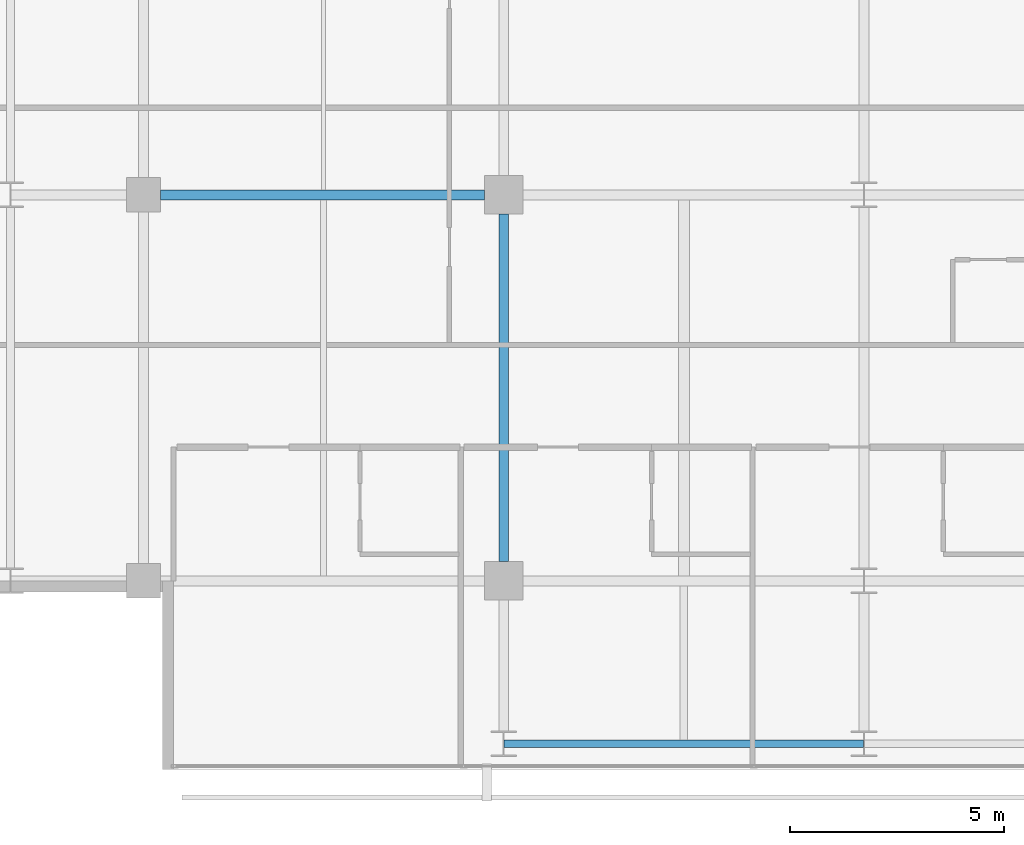
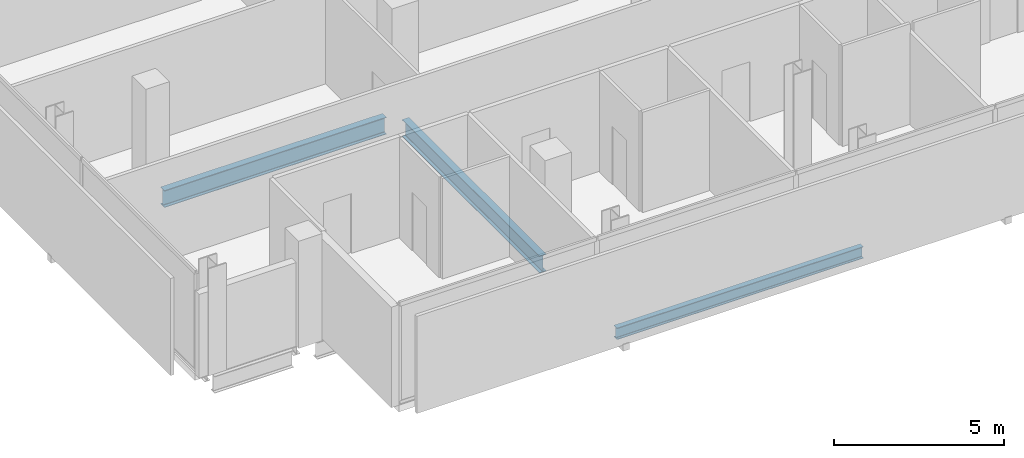
# One storey, part 5 of 33: 3 beams.
"""IFC4 building model written with IfcOpenShell, lengths in metres."""

from ifc_helpers import new_model, si_unit, direction, frame, origin, origin_2d, place, context, subcontext, project, spatial, i_section, extrude, material, material_profile, profile_set, type_object, element, save


model = new_model("IFC4")

# Units and contexts
model_context = context("Model", 3, precision=1e-05, world=origin(), true_north=direction((0.0, 1.0)))
body_context = subcontext(model_context, "Body", "Model", "MODEL_VIEW")
ifc_project = project(units=[si_unit("LENGTHUNIT", "METRE"), si_unit("AREAUNIT", "SQUARE_METRE"), si_unit("VOLUMEUNIT", "CUBIC_METRE"), si_unit("PLANEANGLEUNIT", "RADIAN"), si_unit("MASSUNIT", "GRAM", prefix="KILO")], contexts=[model_context])

# Site, building, storey
site_placement = place(None, origin())
site = spatial("IfcSite", under=ifc_project, at=site_placement, CompositionType="ELEMENT")
building_placement = place(site_placement, origin())
building = spatial("IfcBuilding", under=site, at=building_placement, Name="Maruvema Waterfront Hotel and Observation Tower", CompositionType="ELEMENT")
storey_placement = place(building_placement, frame((0.0, 0.0, 154.35009765625)))
storey = spatial("IfcBuildingStorey", under=building, at=storey_placement, Name="L37", CompositionType="ELEMENT", Elevation=154.35009765625)

# Beams
ifc_material_1 = material(Name="Steel ASTM A572 Grade 50", Category="steel")
ifc_material_profile_1 = material_profile(ifc_material_1, i_section(OverallWidth=0.180908203125, OverallDepth=0.4169921875, WebThickness=0.010986328125, FlangeThickness=0.018310546875, FilletRadius=0.014892578125, at=origin_2d()), Name="W410x85.0")
ifc_profile_set_1 = profile_set([ifc_material_profile_1], Name="Steel ASTM A572 Grade 50")
beam_type_1 = type_object("IfcBeamType", Name="Perimeter Spandrel Beam W410x85.0", PredefinedType="SPANDREL", material=ifc_profile_set_1)
beam_1_placement = place(storey_placement, frame((25.21240234375, 5.199951171875, -0.448486328125), z_axis=(1.0, 0.0, 0.0), x_axis=(0.0, 1.0, 0.0)))
element("IfcBeam", 1, at=beam_1_placement, inside=storey, type_object=beam_type_1, Name="L37 Floor Girder EW-01", PredefinedType="SPANDREL", context=body_context, shape_type="SweptSolid", body=[
    extrude(i_section(OverallWidth=0.180908203125, OverallDepth=0.4169921875, WebThickness=0.010986328125, FlangeThickness=0.018310546875, FilletRadius=0.014892578125, at=origin_2d()), origin(), (0.0, 0.0, 1.0), 8.375),
])
ifc_material_2 = material(Name="Steel ASTM A572 Grade 50", Category="steel")
ifc_material_profile_2 = material_profile(ifc_material_2, i_section(OverallWidth=0.22900390625, OverallDepth=0.612060546875, WebThickness=0.011962890625, FlangeThickness=0.01953125, FilletRadius=0.01806640625, at=origin_2d()), Name="W610x125.0")
ifc_profile_set_2 = profile_set([ifc_material_profile_2], Name="Steel ASTM A572 Grade 50")
beam_type_2 = type_object("IfcBeamType", Name="Primary Floor Girder W610x125.0", PredefinedType="BEAM", material=ifc_profile_set_2)
beam_2_placement = place(storey_placement, frame((17.199951171875, 18.0, -0.546142578125), z_axis=(1.0, 0.0, 0.0), x_axis=(0.0, 1.0, 0.0)))
element("IfcBeam", 2, at=beam_2_placement, inside=storey, type_object=beam_type_2, Name="L37 Floor Girder EW-12", PredefinedType="BEAM", context=body_context, shape_type="SweptSolid", body=[
    extrude(i_section(OverallWidth=0.22900390625, OverallDepth=0.612060546875, WebThickness=0.011962890625, FlangeThickness=0.01953125, FilletRadius=0.01806640625, at=origin_2d()), origin(), (0.0, 0.0, 1.0), 7.550048828125),
])
beam_3_placement = place(storey_placement, frame((25.199951171875, 9.449951171875, -0.546142578125), z_axis=(0.0, 1.0, 0.0), x_axis=(-1.0, 0.0, 0.0)))
element("IfcBeam", 3, at=beam_3_placement, inside=storey, type_object=beam_type_2, Name="L37 Floor Girder NS-10", PredefinedType="BEAM", context=body_context, shape_type="SweptSolid", body=[
    extrude(i_section(OverallWidth=0.22900390625, OverallDepth=0.612060546875, WebThickness=0.011962890625, FlangeThickness=0.01953125, FilletRadius=0.01806640625, at=origin_2d()), origin(), (0.0, 0.0, 1.0), 8.10009765625),
])

save(model, "model.ifc")
